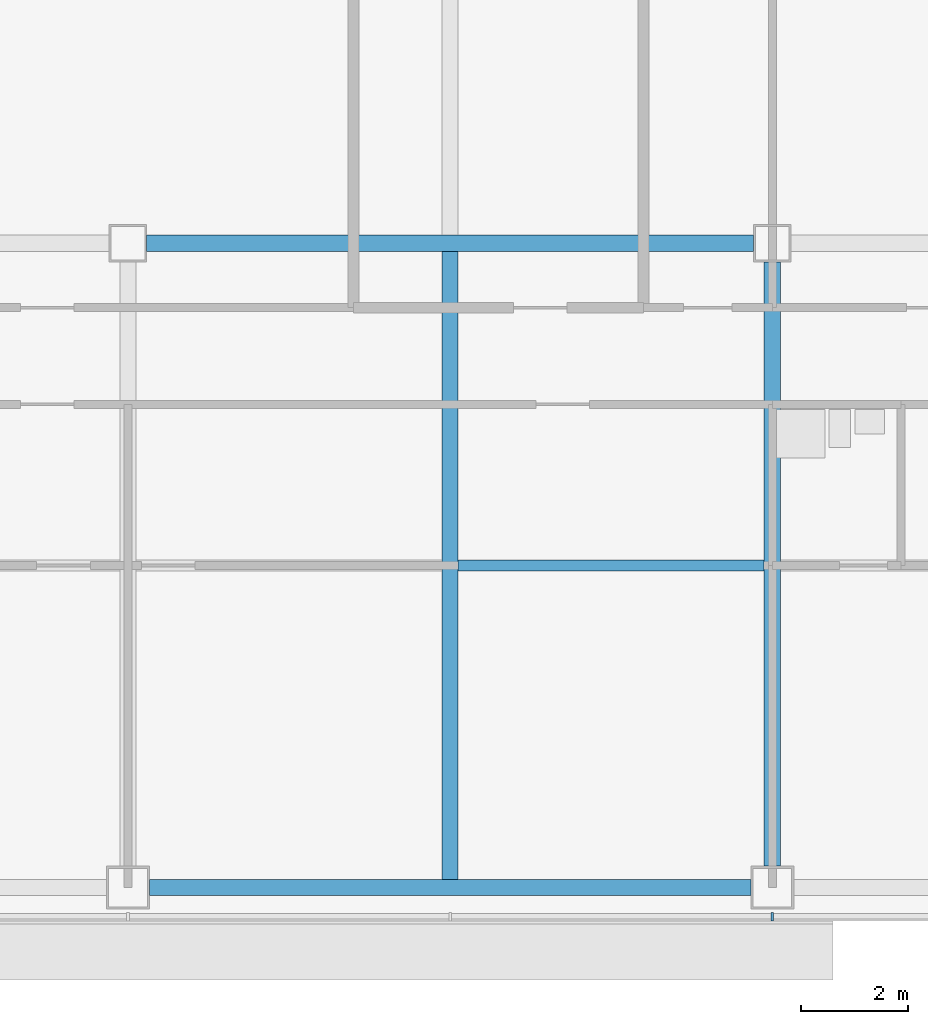
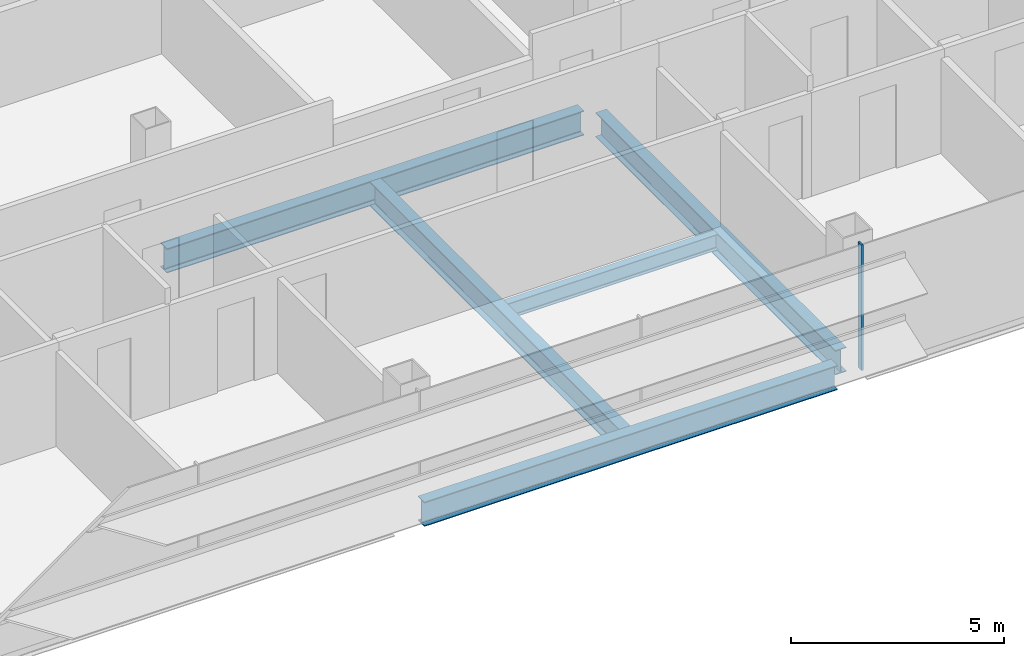
# One storey, part 3 of 25: 5 beams, 1 member, 1 element without a shape of its own.
"""IFC4 building model written with IfcOpenShell, lengths in metres."""

from ifc_helpers import new_model, si_unit, direction, frame, origin, origin_2d, place, context, subcontext, project, spatial, rectangle, i_section, extrude, material, material_profile, profile_set, type_object, element, aggregate, save


model = new_model("IFC4")

# Units and contexts
model_context = context("Model", 3, precision=1e-05, world=origin(), true_north=direction((0.0, 1.0)))
body_context = subcontext(model_context, "Body", "Model", "MODEL_VIEW")
ifc_project = project(units=[si_unit("LENGTHUNIT", "METRE"), si_unit("AREAUNIT", "SQUARE_METRE"), si_unit("VOLUMEUNIT", "CUBIC_METRE"), si_unit("PLANEANGLEUNIT", "RADIAN"), si_unit("MASSUNIT", "GRAM", prefix="KILO")], contexts=[model_context])

# Site, building, storey
site_placement = place(None, origin())
site = spatial("IfcSite", under=ifc_project, at=site_placement, CompositionType="ELEMENT")
building_placement = place(site_placement, origin())
building = spatial("IfcBuilding", under=site, at=building_placement, Name="Sorahane Residences", CompositionType="ELEMENT")
storey_placement = place(building_placement, frame((0.0, 0.0, 107.0)))
storey = spatial("IfcBuildingStorey", under=building, at=storey_placement, Name="L23", CompositionType="ELEMENT", Elevation=107.0)

# Curtain wall, member
ifc_material_1 = material(Name="Dark low-e glass and black anodised aluminium", Category="aluminium")
curtain_wall_type = type_object("IfcCurtainWallType", Name="Curtain wall CW-1 Typical unitised wall", PredefinedType="NOTDEFINED", material=ifc_material_1)
curtain_wall_placement = place(storey_placement, origin())
curtain_wall = element("IfcCurtainWall", 1, at=curtain_wall_placement, inside=storey, type_object=curtain_wall_type, Name="CW-1 curtain wall L23 S1", PredefinedType="NOTDEFINED")
ifc_material_2 = material(Name="Black anodised aluminium", Category="aluminium")
ifc_material_profile_1 = material_profile(ifc_material_2, rectangle(XDim=0.159912109375, YDim=0.050048828125, at=origin_2d()), Name="Curtain wall mullion CW-1 black anodised aluminium 50x160")
ifc_profile_set_1 = profile_set([ifc_material_profile_1], Name="Black anodised aluminium")
member_type = type_object("IfcMemberType", Name="Curtain wall mullion CW-1 black anodised aluminium 50x160", PredefinedType="MULLION", material=ifc_profile_set_1)
member_placement = place(storey_placement, frame((24.0, -0.5400390625, -0.179931640625), z_axis=(0.0, 0.0, 1.0), x_axis=(0.0, -1.0, 0.0)))
member = element("IfcMember", 2, at=member_placement, type_object=member_type, Name="CW-1 mullion L23 S1.5", PredefinedType="MULLION", context=body_context, shape_type="SweptSolid", body=[
    extrude(rectangle(XDim=0.159912109375, YDim=0.050048828125, at=origin_2d()), origin(), (0.0, 0.0, 1.0), 3.599853515625),
])
aggregate(curtain_wall, [member])

# Beams
ifc_material_3 = material(Name="Steel Q355B", Category="steel")
ifc_material_profile_2 = material_profile(ifc_material_3, i_section(OverallWidth=0.199951171875, OverallDepth=0.449951171875, WebThickness=0.009033203125, FlangeThickness=0.013916015625, FilletRadius=0.02001953125, at=origin_2d()), Name="HN 450x200x9x14")
ifc_profile_set_2 = profile_set([ifc_material_profile_2], Name="Steel Q355B")
beam_type_1 = type_object("IfcBeamType", Name="Steel floor beam HN 450x200x9x14 Q355B", PredefinedType="BEAM", material=ifc_profile_set_2)
beam_1_placement = place(storey_placement, frame((18.14990234375, 6.0, -0.405029296875), z_axis=(1.0, 0.0, 0.0), x_axis=(0.0, 1.0, 0.0)))
element("IfcBeam", 3, at=beam_1_placement, inside=storey, type_object=beam_type_1, Name="Beam L23 072", PredefinedType="BEAM", context=body_context, shape_type="SweptSolid", body=[
    extrude(i_section(OverallWidth=0.199951171875, OverallDepth=0.449951171875, WebThickness=0.009033203125, FlangeThickness=0.013916015625, FilletRadius=0.02001953125, at=origin_2d()), origin(), (0.0, 0.0, 1.0), 5.7001953125),
])
ifc_material_4 = material(Name="Steel Q355B", Category="steel")
ifc_material_profile_3 = material_profile(ifc_material_4, i_section(OverallWidth=0.300048828125, OverallDepth=0.699951171875, WebThickness=0.012939453125, FlangeThickness=0.02392578125, FilletRadius=0.028076171875, at=origin_2d()), Name="HN 700x300x13x24")
ifc_profile_set_3 = profile_set([ifc_material_profile_3], Name="Steel Q355B")
beam_type_2 = type_object("IfcBeamType", Name="Steel floor beam HN 700x300x13x24 Q355B", PredefinedType="BEAM", material=ifc_profile_set_3)
beam_2_placement = place(storey_placement, frame((12.39990234375, 0.0, -0.530029296875), z_axis=(1.0, 0.0, 0.0), x_axis=(0.0, 1.0, 0.0)))
element("IfcBeam", 4, at=beam_2_placement, inside=storey, type_object=beam_type_2, Name="Beam L23 001", PredefinedType="BEAM", context=body_context, shape_type="SweptSolid", body=[
    extrude(i_section(OverallWidth=0.300048828125, OverallDepth=0.699951171875, WebThickness=0.012939453125, FlangeThickness=0.02392578125, FilletRadius=0.028076171875, at=origin_2d()), origin(), (0.0, 0.0, 1.0), 11.2001953125),
])
beam_3_placement = place(storey_placement, frame((12.35009765625, 12.0, -0.530029296875), z_axis=(1.0, 0.0, 0.0), x_axis=(0.0, 1.0, 0.0)))
element("IfcBeam", 5, at=beam_3_placement, inside=storey, type_object=beam_type_2, Name="Beam L23 007", PredefinedType="BEAM", context=body_context, shape_type="SweptSolid", body=[
    extrude(i_section(OverallWidth=0.300048828125, OverallDepth=0.699951171875, WebThickness=0.012939453125, FlangeThickness=0.02392578125, FilletRadius=0.028076171875, at=origin_2d()), origin(), (0.0, 0.0, 1.0), 11.2998046875),
])
beam_4_placement = place(storey_placement, frame((18.0, 0.14990234375, -0.530029296875), z_axis=(0.0, 1.0, 0.0), x_axis=(-1.0, 0.0, 0.0)))
element("IfcBeam", 6, at=beam_4_placement, inside=storey, type_object=beam_type_2, Name="Beam L23 036", PredefinedType="BEAM", context=body_context, shape_type="SweptSolid", body=[
    extrude(i_section(OverallWidth=0.300048828125, OverallDepth=0.699951171875, WebThickness=0.012939453125, FlangeThickness=0.02392578125, FilletRadius=0.028076171875, at=origin_2d()), origin(), (0.0, 0.0, 1.0), 11.7001953125),
])
beam_5_placement = place(storey_placement, frame((24.0, 0.39990234375, -0.530029296875), z_axis=(0.0, 1.0, 0.0), x_axis=(-1.0, 0.0, 0.0)))
element("IfcBeam", 7, at=beam_5_placement, inside=storey, type_object=beam_type_2, Name="Beam L23 042", PredefinedType="BEAM", context=body_context, shape_type="SweptSolid", body=[
    extrude(i_section(OverallWidth=0.300048828125, OverallDepth=0.699951171875, WebThickness=0.012939453125, FlangeThickness=0.02392578125, FilletRadius=0.028076171875, at=origin_2d()), origin(), (0.0, 0.0, 1.0), 11.25),
])

save(model, "model.ifc")
